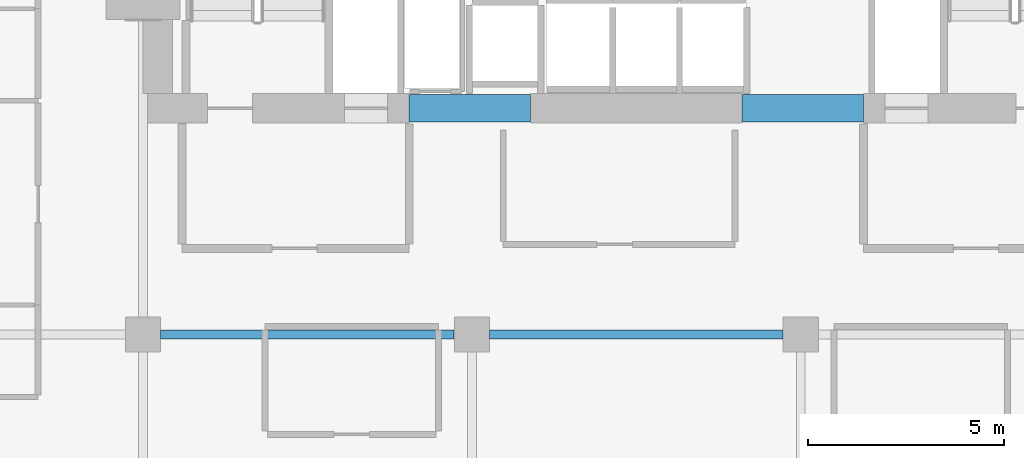
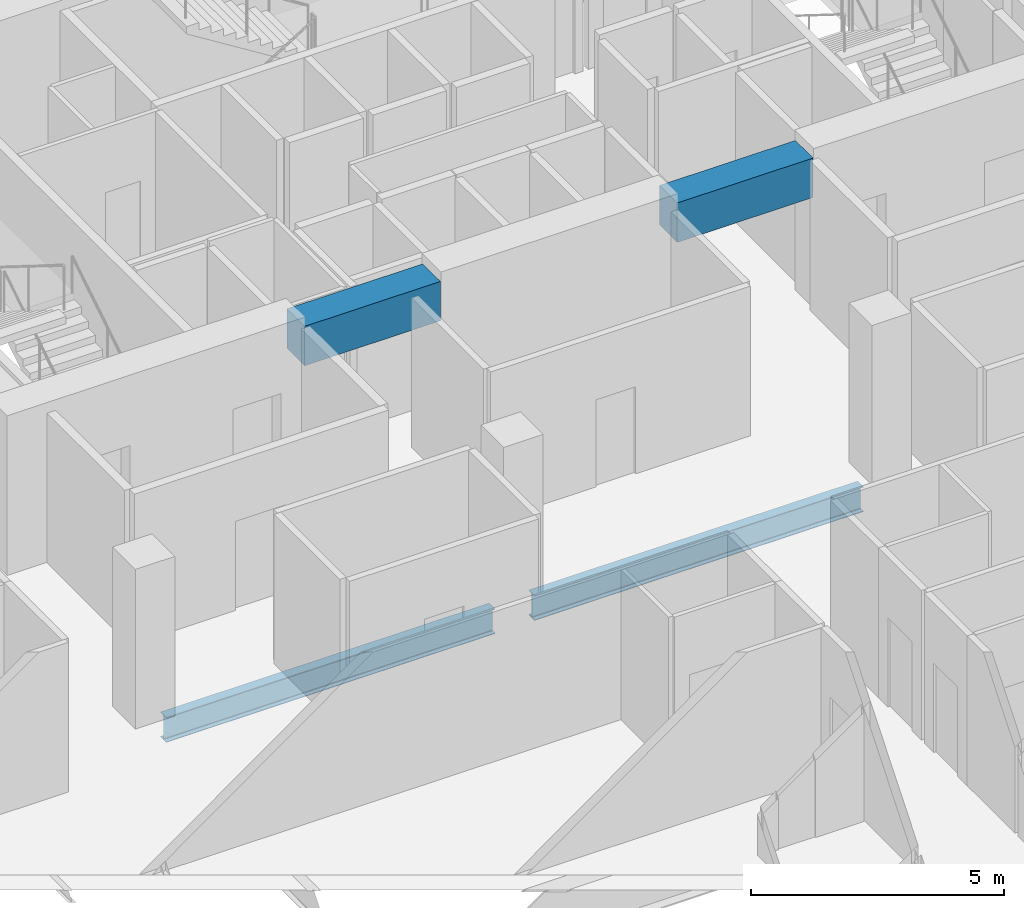
# One storey, part 21 of 34: 4 beams.
"""IFC4 building model written with IfcOpenShell, lengths in metres."""

from ifc_helpers import new_model, si_unit, direction, frame, origin, origin_2d, place, context, subcontext, project, spatial, rectangle, i_section, extrude, material, material_profile, profile_set, type_object, element, save


model = new_model("IFC4")

# Units and contexts
model_context = context("Model", 3, precision=1e-05, world=origin(), true_north=direction((0.0, 1.0)))
body_context = subcontext(model_context, "Body", "Model", "MODEL_VIEW")
ifc_project = project(units=[si_unit("LENGTHUNIT", "METRE"), si_unit("AREAUNIT", "SQUARE_METRE"), si_unit("VOLUMEUNIT", "CUBIC_METRE"), si_unit("PLANEANGLEUNIT", "RADIAN"), si_unit("MASSUNIT", "GRAM", prefix="KILO")], contexts=[model_context])

# Site, building, storey
site_placement = place(None, origin())
site = spatial("IfcSite", under=ifc_project, at=site_placement, CompositionType="ELEMENT")
building_placement = place(site_placement, origin())
building = spatial("IfcBuilding", under=site, at=building_placement, Name="Maruvema Waterfront Hotel and Observation Tower", CompositionType="ELEMENT")
storey_placement = place(building_placement, frame((0.0, 0.0, 185.14990234375)))
storey = spatial("IfcBuildingStorey", under=building, at=storey_placement, Name="L45", CompositionType="ELEMENT", Elevation=185.14990234375)

# Beams
ifc_material_1 = material(Name="Concrete C60/75", Category="concrete")
ifc_material_profile_1 = material_profile(ifc_material_1, rectangle(XDim=0.699951171875, YDim=0.949951171875, at=origin_2d()), Name="CB700x950")
ifc_profile_set_1 = profile_set([ifc_material_profile_1], Name="Concrete C60/75")
beam_type_1 = type_object("IfcBeamType", Name="Core Coupling Lintel Beam CB700x950", PredefinedType="LINTEL", material=ifc_profile_set_1)
for number, where, z_axis, x_axis, name in (
    (1, (32.0, 41.77490234375, 3.135009765625), (1.0, 0.0, 0.0), (0.0, 1.0, 0.0), "L45 Core Coupling Lintel Beam West"),
    (2, (40.5, 41.77490234375, 3.135009765625), (1.0, 0.0, 0.0), (0.0, 1.0, 0.0), "L45 Core Coupling Lintel Beam East"),
):
    element("IfcBeam", number, at=place(storey_placement, frame(where, z_axis=z_axis, x_axis=x_axis)), inside=storey, type_object=beam_type_1, Name=name, PredefinedType="LINTEL", context=body_context, shape_type="SweptSolid", body=[
        extrude(rectangle(XDim=0.699951171875, YDim=0.949951171875, at=origin_2d()), origin(), (0.0, 0.0, 1.0), 3.10009765625),
    ])
ifc_material_2 = material(Name="Steel ASTM A572 Grade 50", Category="steel")
ifc_material_profile_2 = material_profile(ifc_material_2, i_section(OverallWidth=0.22802734375, OverallDepth=0.60302734375, WebThickness=0.010498046875, FlangeThickness=0.014892578125, FilletRadius=0.01806640625, at=origin_2d()), Name="W610x101.0")
ifc_profile_set_2 = profile_set([ifc_material_profile_2], Name="Steel ASTM A572 Grade 50")
beam_type_2 = type_object("IfcBeamType", Name="Primary Floor Girder W610x101.0", PredefinedType="BEAM", material=ifc_profile_set_2)
for number, where, z_axis, x_axis, name in (
    (3, (25.64990234375, 36.0, -0.54150390625), (1.0, 0.0, 0.0), (0.0, 1.0, 0.0), "L45 Floor Girder EW-25"),
    (4, (34.050048828125, 36.0, -0.54150390625), (1.0, 0.0, 0.0), (0.0, 1.0, 0.0), "L45 Floor Girder EW-26"),
):
    element("IfcBeam", number, at=place(storey_placement, frame(where, z_axis=z_axis, x_axis=x_axis)), inside=storey, type_object=beam_type_2, Name=name, PredefinedType="BEAM", context=body_context, shape_type="SweptSolid", body=[
        extrude(i_section(OverallWidth=0.22802734375, OverallDepth=0.60302734375, WebThickness=0.010498046875, FlangeThickness=0.014892578125, FilletRadius=0.01806640625, at=origin_2d()), origin(), (0.0, 0.0, 1.0), 7.5),
    ])

save(model, "model.ifc")
